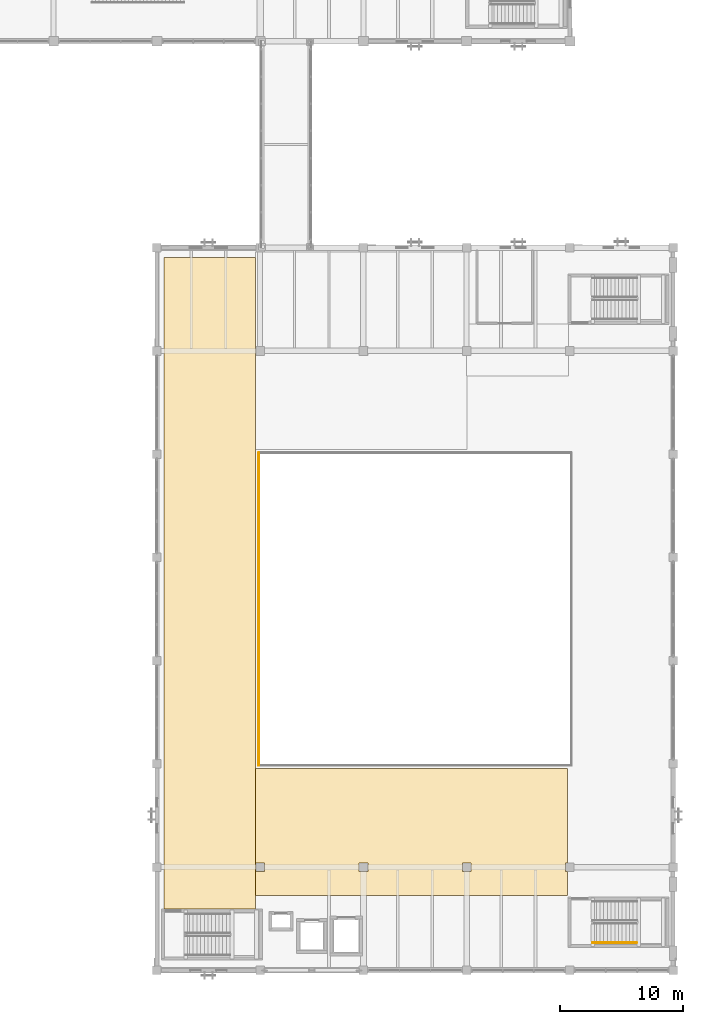
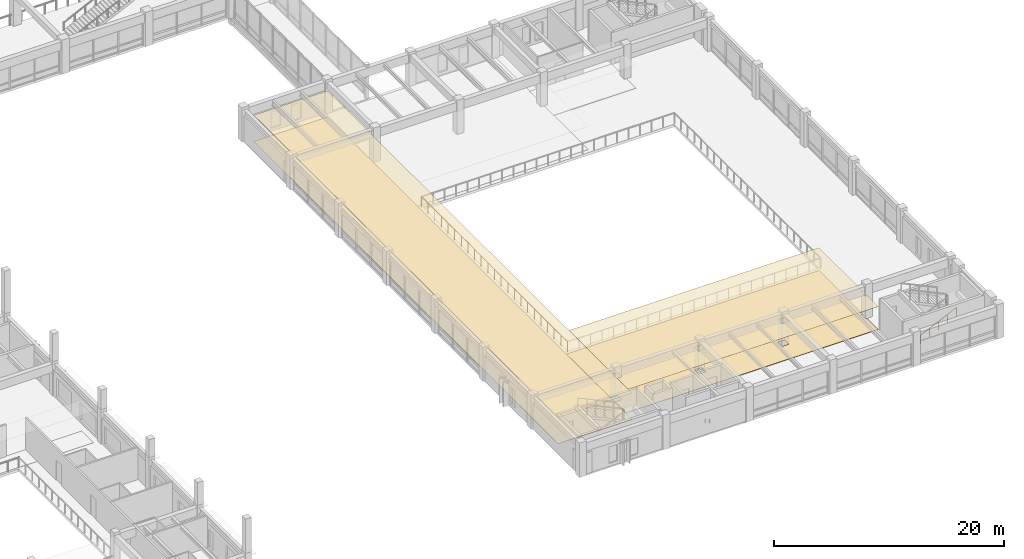
# One storey, part 111 of 118: 4 coverings, 2 railings.
"""IFC4 building model written with IfcOpenShell, lengths in metres."""

from ifc_helpers import new_model, si_unit, direction, frame, origin, origin_2d, place, context, subcontext, project, spatial, polyline, circle, outline, extrude, material, layer, layer_set, type_object, element, save


model = new_model("IFC4")

# Units and contexts
model_context = context("Model", 3, precision=1e-05, world=origin(), true_north=direction((0.0, 1.0)))
body_context = subcontext(model_context, "Body", "Model", "MODEL_VIEW")
ifc_project = project(units=[si_unit("LENGTHUNIT", "METRE"), si_unit("AREAUNIT", "SQUARE_METRE"), si_unit("VOLUMEUNIT", "CUBIC_METRE"), si_unit("PLANEANGLEUNIT", "RADIAN"), si_unit("MASSUNIT", "GRAM", prefix="KILO")], contexts=[model_context])

# Site, building, storey
site_placement = place(None, origin())
site = spatial("IfcSite", under=ifc_project, at=site_placement, CompositionType="ELEMENT")
building_placement = place(site_placement, origin())
building = spatial("IfcBuilding", under=site, at=building_placement, Name="Cumbredor Promenade Congress Hotel", CompositionType="ELEMENT")
storey_placement = place(building_placement, frame((0.0, 0.0, 3.919921875)))
storey = spatial("IfcBuildingStorey", under=building, at=storey_placement, Name="L01", CompositionType="ELEMENT", Elevation=3.919921875)

# Coverings
ifc_material_1 = material(Name="Acoustic mineral-fiber and gypsum ceiling")
ifc_layer_1 = layer(ifc_material_1, 0.02197265625, Name="Acoustic mineral-fiber and gypsum ceiling")
ifc_layer_set_1 = layer_set([ifc_layer_1], Name="Acoustic mineral-fiber and gypsum ceiling")
covering_type_1 = type_object("IfcCoveringType", Name="Acoustic Perforated Gypsum Ceiling CLG-02 22mm", PredefinedType="CEILING", material=ifc_layer_set_1)
covering_1_placement = place(storey_placement, frame((0.0, 0.0, 2.7900390625)))
element("IfcCovering", 1, at=covering_1_placement, inside=storey, type_object=covering_type_1, Name="L01 Ballroom West Mezzanine Gallery Acoustic Ceiling", PredefinedType="CEILING", context=body_context, shape_type="SweptSolid", body=[
    extrude(outline(polyline([(143.3798828125, 13.3798828125), (143.3798828125, 66.419921875), (150.820068359375, 66.419921875), (150.820068359375, 13.3798828125), (143.3798828125, 13.3798828125)])), origin(), (0.0, 0.0, 1.0), 0.02197265625),
])
ifc_layer_2 = layer(ifc_material_1, 0.028076171875, Name="Acoustic mineral-fiber and gypsum ceiling")
ifc_layer_set_2 = layer_set([ifc_layer_2], Name="Acoustic mineral-fiber and gypsum ceiling")
covering_type_2 = type_object("IfcCoveringType", Name="Acoustic Perforated Gypsum Ceiling CLG-03 28mm", PredefinedType="CEILING", material=ifc_layer_set_2)
covering_2_placement = place(storey_placement, frame((0.0, 0.0, 2.43310546875)))
element("IfcCovering", 2, at=covering_2_placement, inside=storey, type_object=covering_type_2, Name="L01 South Riverside Banquet Salon Acoustic Ceiling", PredefinedType="CEILING", context=body_context, shape_type="SweptSolid", body=[
    extrude(outline(polyline([(150.830078125, 14.47998046875), (150.830078125, 24.820068359375), (176.219970703125, 24.820068359375), (176.219970703125, 17.155029296875), (176.044921875, 17.155029296875), (176.044921875, 16.445068359375), (176.219970703125, 16.445068359375), (176.219970703125, 14.47998046875), (150.830078125, 14.47998046875)]), holes=[polyline([(151.554931640625, 16.445068359375), (151.554931640625, 17.155029296875), (150.844970703125, 17.155029296875), (150.844970703125, 16.445068359375), (151.554931640625, 16.445068359375)]), polyline([(159.2451171875, 16.445068359375), (159.955078125, 16.445068359375), (159.955078125, 17.155029296875), (159.2451171875, 17.155029296875), (159.2451171875, 16.445068359375)]), polyline([(167.64501953125, 17.155029296875), (167.64501953125, 16.445068359375), (168.35498046875, 16.445068359375), (168.35498046875, 17.155029296875), (167.64501953125, 17.155029296875)])]), origin(), (0.0, 0.0, 1.0), 0.028076171875),
])

# Railing
ifc_material_2 = material(Name="Brushed stainless steel", Category="steel")
railing_type_1 = type_object("IfcRailingType", Name="Interior Void & Stair Guardrail GR-1100", PredefinedType="GUARDRAIL", material=ifc_material_2)
railing_1_placement = place(storey_placement, frame((151.080078125, 50.52001953125, 0.0)))
element("IfcRailing", 3, at=railing_1_placement, inside=storey, type_object=railing_type_1, Name="L01 v2_ballroom_void Void Perimeter Guardrail 4", PredefinedType="GUARDRAIL", context=body_context, shape_type="SweptSolid", body=[
    extrude(circle(Radius=0.02392578125, at=origin_2d()), frame((0.0, 0.0, 1.09619140625), z_axis=(0.0, -1.0, 0.0), x_axis=(1.0, 0.0, 0.0)), (0.0, 0.0, 1.0), 25.43994140625),
    extrude(circle(Radius=0.02099609375, at=origin_2d()), origin(), (0.0, 0.0, 1.0), 1.072021484375),
    extrude(circle(Radius=0.02099609375, at=origin_2d()), frame((0.0, -1.15625, 0.0)), (0.0, 0.0, 1.0), 1.072021484375),
    extrude(circle(Radius=0.02099609375, at=origin_2d()), frame((0.0, -2.312744140625, 0.0)), (0.0, 0.0, 1.0), 1.072021484375),
    extrude(circle(Radius=0.02099609375, at=origin_2d()), frame((0.0, -3.468994140625, 0.0)), (0.0, 0.0, 1.0), 1.072021484375),
    extrude(circle(Radius=0.02099609375, at=origin_2d()), frame((0.0, -4.62548828125, 0.0)), (0.0, 0.0, 1.0), 1.072021484375),
    extrude(circle(Radius=0.02099609375, at=origin_2d()), frame((0.0, -5.78173828125, 0.0)), (0.0, 0.0, 1.0), 1.072021484375),
    extrude(circle(Radius=0.02099609375, at=origin_2d()), frame((0.0, -6.938232421875, 0.0)), (0.0, 0.0, 1.0), 1.072021484375),
    extrude(circle(Radius=0.02099609375, at=origin_2d()), frame((0.0, -8.094482421875, 0.0)), (0.0, 0.0, 1.0), 1.072021484375),
    extrude(circle(Radius=0.02099609375, at=origin_2d()), frame((0.0, -9.2509765625, 0.0)), (0.0, 0.0, 1.0), 1.072021484375),
    extrude(circle(Radius=0.02099609375, at=origin_2d()), frame((0.0, -10.4072265625, 0.0)), (0.0, 0.0, 1.0), 1.072021484375),
    extrude(circle(Radius=0.02099609375, at=origin_2d()), frame((0.0, -11.563720703125, 0.0)), (0.0, 0.0, 1.0), 1.072021484375),
    extrude(circle(Radius=0.02099609375, at=origin_2d()), frame((0.0, -12.719970703125, 0.0)), (0.0, 0.0, 1.0), 1.072021484375),
    extrude(circle(Radius=0.02099609375, at=origin_2d()), frame((0.0, -13.876220703125, 0.0)), (0.0, 0.0, 1.0), 1.072021484375),
    extrude(circle(Radius=0.02099609375, at=origin_2d()), frame((0.0, -15.03271484375, 0.0)), (0.0, 0.0, 1.0), 1.072021484375),
    extrude(circle(Radius=0.02099609375, at=origin_2d()), frame((0.0, -16.18896484375, 0.0)), (0.0, 0.0, 1.0), 1.072021484375),
    extrude(circle(Radius=0.02099609375, at=origin_2d()), frame((0.0, -17.345458984375, 0.0)), (0.0, 0.0, 1.0), 1.072021484375),
    extrude(circle(Radius=0.02099609375, at=origin_2d()), frame((0.0, -18.501708984375, 0.0)), (0.0, 0.0, 1.0), 1.072021484375),
    extrude(circle(Radius=0.02099609375, at=origin_2d()), frame((0.0, -19.658203125, 0.0)), (0.0, 0.0, 1.0), 1.072021484375),
    extrude(circle(Radius=0.02099609375, at=origin_2d()), frame((0.0, -20.814453125, 0.0)), (0.0, 0.0, 1.0), 1.072021484375),
    extrude(circle(Radius=0.02099609375, at=origin_2d()), frame((0.0, -21.970947265625, 0.0)), (0.0, 0.0, 1.0), 1.072021484375),
    extrude(circle(Radius=0.02099609375, at=origin_2d()), frame((0.0, -23.127197265625, 0.0)), (0.0, 0.0, 1.0), 1.072021484375),
    extrude(circle(Radius=0.02099609375, at=origin_2d()), frame((0.0, -24.28369140625, 0.0)), (0.0, 0.0, 1.0), 1.072021484375),
    extrude(circle(Radius=0.02099609375, at=origin_2d()), frame((0.0, -25.43994140625, 0.0)), (0.0, 0.0, 1.0), 1.072021484375),
])

# Coverings
ifc_material_3 = material(Name="Porcelain stoneware tile", Category="masonry")
ifc_layer_3 = layer(ifc_material_3, 0.02490234375, Name="Porcelain stoneware tile", Category="masonry")
ifc_layer_set_3 = layer_set([ifc_layer_3], Name="Porcelain stoneware tile")
covering_type_3 = type_object("IfcCoveringType", Name="Porcelain Stoneware Flooring FLR-02 25mm", PredefinedType="FLOORING", material=ifc_layer_set_3)
covering_3_placement = place(storey_placement, origin())
element("IfcCovering", 4, at=covering_3_placement, inside=storey, type_object=covering_type_3, Name="L01 Ballroom West Mezzanine Gallery Porcelain Flooring", PredefinedType="FLOORING", context=body_context, shape_type="SweptSolid", body=[
    extrude(outline(polyline([(143.3798828125, 13.3798828125), (143.3798828125, 66.419921875), (150.820068359375, 66.419921875), (150.820068359375, 13.3798828125), (143.3798828125, 13.3798828125)])), origin(), (0.0, 0.0, 1.0), 0.025146484375),
])
ifc_layer_4 = layer(ifc_material_3, 0.030029296875, Name="Porcelain stoneware tile", Category="masonry")
ifc_layer_set_4 = layer_set([ifc_layer_4], Name="Porcelain stoneware tile")
covering_type_4 = type_object("IfcCoveringType", Name="Porcelain Stoneware Flooring FLR-03 30mm", PredefinedType="FLOORING", material=ifc_layer_set_4)
covering_4_placement = place(storey_placement, origin())
element("IfcCovering", 5, at=covering_4_placement, inside=storey, type_object=covering_type_4, Name="L01 South Riverside Banquet Salon Porcelain Flooring", PredefinedType="FLOORING", context=body_context, shape_type="SweptSolid", body=[
    extrude(outline(polyline([(150.830078125, 14.47998046875), (150.830078125, 24.820068359375), (176.219970703125, 24.820068359375), (176.219970703125, 17.155029296875), (176.044921875, 17.155029296875), (176.044921875, 16.445068359375), (176.219970703125, 16.445068359375), (176.219970703125, 14.47998046875), (150.830078125, 14.47998046875)]), holes=[polyline([(151.554931640625, 16.445068359375), (151.554931640625, 17.155029296875), (150.844970703125, 17.155029296875), (150.844970703125, 16.445068359375), (151.554931640625, 16.445068359375)]), polyline([(159.2451171875, 16.445068359375), (159.955078125, 16.445068359375), (159.955078125, 17.155029296875), (159.2451171875, 17.155029296875), (159.2451171875, 16.445068359375)]), polyline([(167.64501953125, 17.155029296875), (167.64501953125, 16.445068359375), (168.35498046875, 16.445068359375), (168.35498046875, 17.155029296875), (167.64501953125, 17.155029296875)])]), origin(), (0.0, 0.0, 1.0), 0.030029296875),
])

# Railing
railing_type_2 = type_object("IfcRailingType", Name="Stair Pitch Handrail HR-900", PredefinedType="HANDRAIL", material=ifc_material_2)
railing_2_placement = place(storey_placement, frame((178.25, 10.64990234375, 0.14013671875)))
element("IfcRailing", 6, at=railing_2_placement, inside=storey, type_object=railing_type_2, Name="L01 ST-09 stair handrail 1", PredefinedType="HANDRAIL", context=body_context, shape_type="SweptSolid", body=[
    extrude(circle(Radius=0.02392578125, at=origin_2d()), frame((0.0, 0.0, 0.8759765625), z_axis=(0.906194129559, 0.0, 0.422861915468), x_axis=(0.0, 1.0, 0.0)), (0.0, 0.0, 1.0), 3.97265625),
    extrude(circle(Radius=0.02099609375, at=origin_2d()), origin(), (0.0, 0.0, 1.0), 0.851806640625),
    extrude(circle(Radius=0.02099609375, at=origin_2d()), frame((0.89990234375, 0.0, 0.419921875)), (0.0, 0.0, 1.0), 0.851806640625),
    extrude(circle(Radius=0.02099609375, at=origin_2d()), frame((1.800048828125, 0.0, 0.83984375)), (0.0, 0.0, 1.0), 0.851806640625),
    extrude(circle(Radius=0.02099609375, at=origin_2d()), frame((2.7001953125, 0.0, 1.260009765625)), (0.0, 0.0, 1.0), 0.851806640625),
    extrude(circle(Radius=0.02099609375, at=origin_2d()), frame((3.60009765625, 0.0, 1.679931640625)), (0.0, 0.0, 1.0), 0.851806640625),
])

save(model, "model.ifc")
